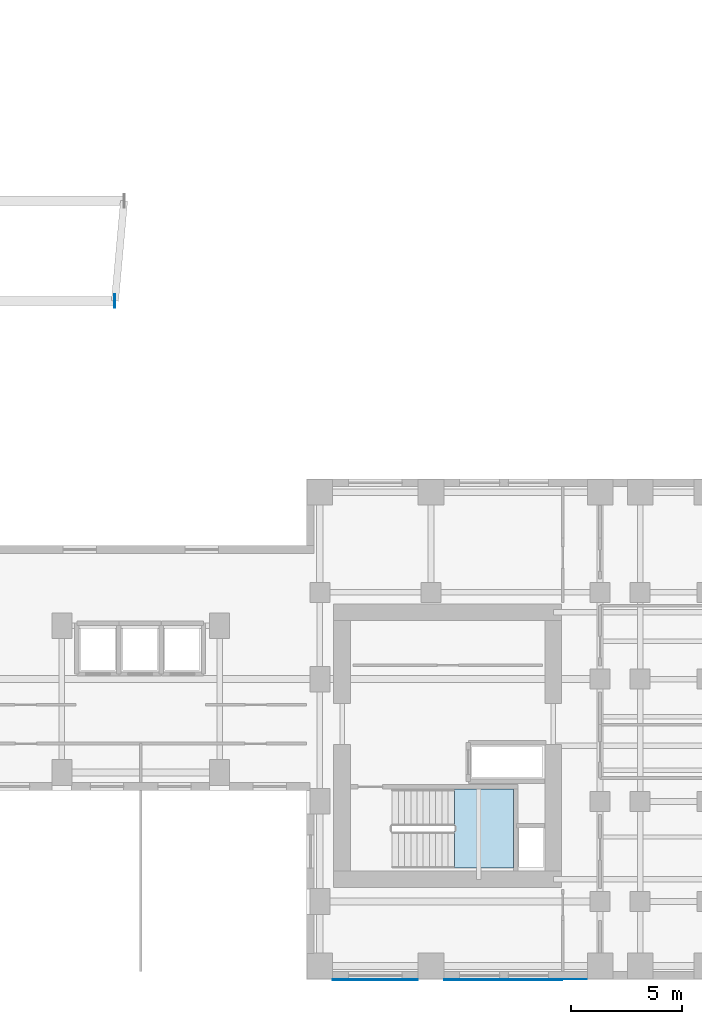
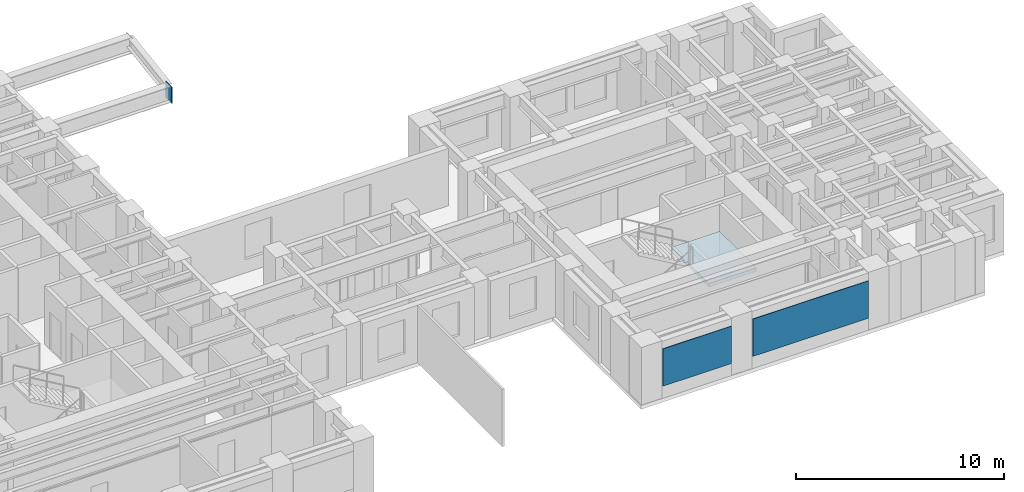
# One storey, part 5 of 14: 3 plates, 1 slab, 1 element without a shape of its own.
"""IFC4 building model written with IfcOpenShell, lengths in metres."""

from ifc_helpers import new_model, si_unit, direction, frame, origin, origin_2d, place, context, subcontext, project, spatial, polyline, rectangle, outline, extrude, source, transform, mapped, material, layer, layer_set, type_object, element, aggregate, save


model = new_model("IFC4")

# Units and contexts
model_context = context("Model", 3, precision=1e-05, world=origin(), true_north=direction((0.0, 1.0)))
body_context = subcontext(model_context, "Body", "Model", "MODEL_VIEW")
ifc_project = project(units=[si_unit("LENGTHUNIT", "METRE"), si_unit("AREAUNIT", "SQUARE_METRE"), si_unit("VOLUMEUNIT", "CUBIC_METRE"), si_unit("PLANEANGLEUNIT", "RADIAN"), si_unit("MASSUNIT", "GRAM", prefix="KILO")], contexts=[model_context])

# Site, building, storey
site_placement = place(None, origin())
site = spatial("IfcSite", under=ifc_project, at=site_placement, CompositionType="ELEMENT")
building_placement = place(site_placement, origin())
building = spatial("IfcBuilding", under=site, at=building_placement, Name="Kharzan Plaza Tower", CompositionType="ELEMENT")
storey_placement = place(building_placement, frame((0.0, 0.0, 124.199951171875)))
storey = spatial("IfcBuildingStorey", under=building, at=storey_placement, Name="L33", CompositionType="ELEMENT", Elevation=124.199951171875)

# Stair, slab
ifc_material_1 = material(Name="Concrete C40/50", Category="concrete")
stair_type = type_object("IfcStairType", Name="STR-ST-3", PredefinedType="HALF_TURN_STAIR", material=ifc_material_1)
stair_placement = place(storey_placement, origin())
stair = element("IfcStair", 1, at=stair_placement, inside=storey, type_object=stair_type, Name="L33 Protected Exit Stair ST-3", PredefinedType="HALF_TURN_STAIR")
ifc_layer_1 = layer(ifc_material_1, 0.219970703125)
ifc_layer_set_1 = layer_set([ifc_layer_1], Name="Concrete C40/50")
slab_type = type_object("IfcSlabType", Name="SL-LANDING-220", PredefinedType="LANDING", material=ifc_layer_set_1)
slab_placement = place(storey_placement, frame((0.0, 0.0, 1.60009765625)))
slab = element("IfcSlab", 2, at=slab_placement, type_object=slab_type, Name="ST-3 landing 1", PredefinedType="LANDING", context=body_context, shape_type="SweptSolid", body=[
    extrude(outline(polyline([(41.050048828125, 5.0), (43.699951171875, 5.0), (43.699951171875, 8.550048828125), (41.050048828125, 8.550048828125), (41.050048828125, 5.0)])), origin(), (0.0, 0.0, 1.0), 0.199951171875),
])
aggregate(stair, [slab])

# Plates
ifc_material_2 = material(Name="Steel S460", Category="steel")
ifc_layer_2 = layer(ifc_material_2, 0.0419921875)
ifc_layer_set_2 = layer_set([ifc_layer_2], Name="Steel S460")
plate_type_1 = type_object("IfcPlateType", Name="PLT-ZTN1", PredefinedType="USERDEFINED", material=ifc_layer_set_2)
shared_shape_1 = source(origin(), body_context, "Body", "SweptSolid", [
    extrude(rectangle(XDim=0.60009765625, YDim=0.0419921875, at=origin_2d()), origin(), (0.0, 0.0, 1.0), 0.949951171875),
])
plate_1_placement = place(storey_placement, frame((25.7900390625, 30.5, 2.4365234375), z_axis=(0.0, 0.0, 1.0), x_axis=(0.0, 1.0, 0.0)))
element("IfcPlate", 3, at=plate_1_placement, inside=storey, type_object=plate_type_1, Name="L33 Sky-Terrace Cantilever Tip Plate ZTN1", ObjectType="FLANGE_PLATE", PredefinedType="USERDEFINED", context=body_context, shape_type="MappedRepresentation", body=[
    mapped(shared_shape_1, transform((0.0, 0.0, 0.0), x_axis=(1.0, 0.0, 0.0), y_axis=(0.0, 1.0, 0.0), z_axis=(0.0, 0.0, 1.0))),
])
ifc_material_3 = material(Name="Perforated Bronze-Anodized Aluminium", Category="aluminium")
ifc_layer_3 = layer(ifc_material_3, 0.030029296875)
ifc_layer_set_3 = layer_set([ifc_layer_3], Name="Perforated Bronze-Anodized Aluminium")
plate_type_2 = type_object("IfcPlateType", Name="PLT-MASH-SCREEN", PredefinedType="SHEET", material=ifc_layer_set_3)
shared_shape_2 = source(origin(), body_context, "Body", "SweptSolid", [
    extrude(rectangle(XDim=3.81396484375, YDim=0.030029296875, at=origin_2d()), origin(), (0.0, 0.0, 1.0), 2.199951171875),
])
plate_2_placement = place(storey_placement, frame((37.5, -0.012939453125, 0.72998046875), z_axis=(0.0, 0.0, 1.0), x_axis=(1.0, 0.0, 0.0)))
element("IfcPlate", 4, at=plate_2_placement, inside=storey, type_object=plate_type_2, Name="L33 Perforated Mashrabiya Solar Screen", PredefinedType="SHEET", context=body_context, shape_type="MappedRepresentation", body=[
    mapped(shared_shape_2, transform((0.0, 0.0, 0.0), x_axis=(1.0, 0.0, 0.0), y_axis=(0.0, 1.0, 0.0), z_axis=(0.0, 0.0, 1.0))),
])
shared_shape_3 = source(origin(), body_context, "Body", "SweptSolid", [
    extrude(rectangle(XDim=6.4140625, YDim=0.030029296875, at=origin_2d()), origin(), (0.0, 0.0, 1.0), 2.199951171875),
])
plate_3_placement = place(storey_placement, frame((43.800048828125, -0.012939453125, 0.72998046875), z_axis=(0.0, 0.0, 1.0), x_axis=(1.0, 0.0, 0.0)))
element("IfcPlate", 5, at=plate_3_placement, inside=storey, type_object=plate_type_2, Name="L33 Perforated Mashrabiya Solar Screen", PredefinedType="SHEET", context=body_context, shape_type="MappedRepresentation", body=[
    mapped(shared_shape_3, transform((0.0, 0.0, 0.0), x_axis=(1.0, 0.0, 0.0), y_axis=(0.0, 1.0, 0.0), z_axis=(0.0, 0.0, 1.0))),
])

save(model, "model.ifc")
